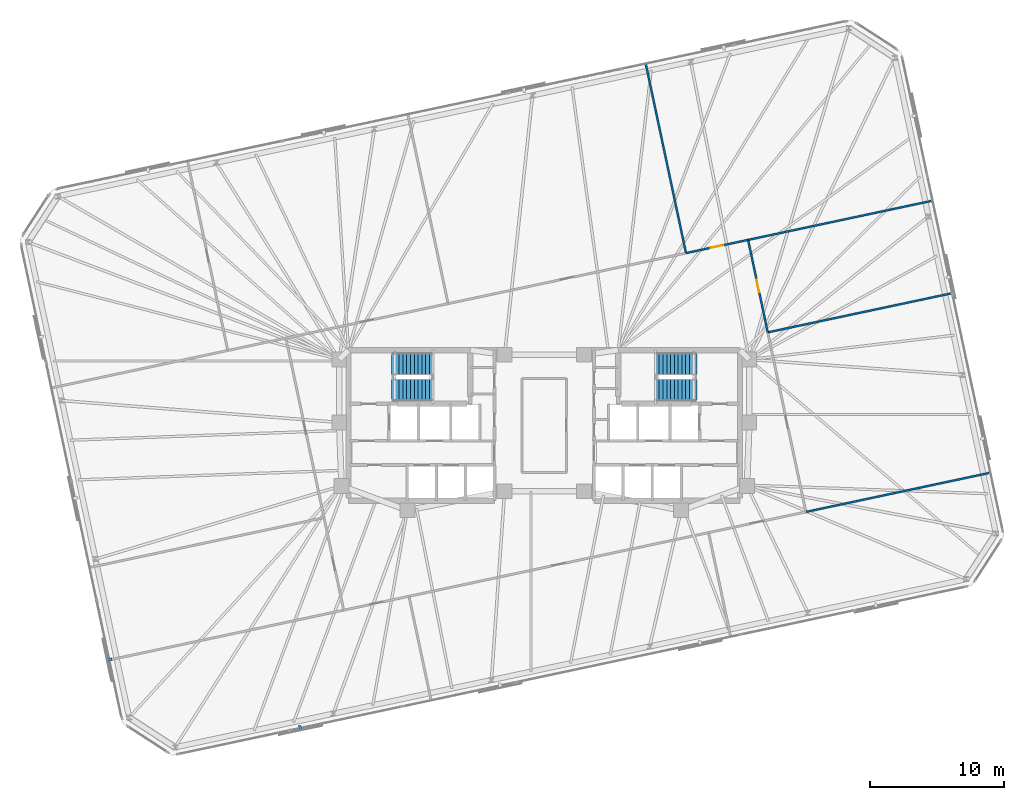
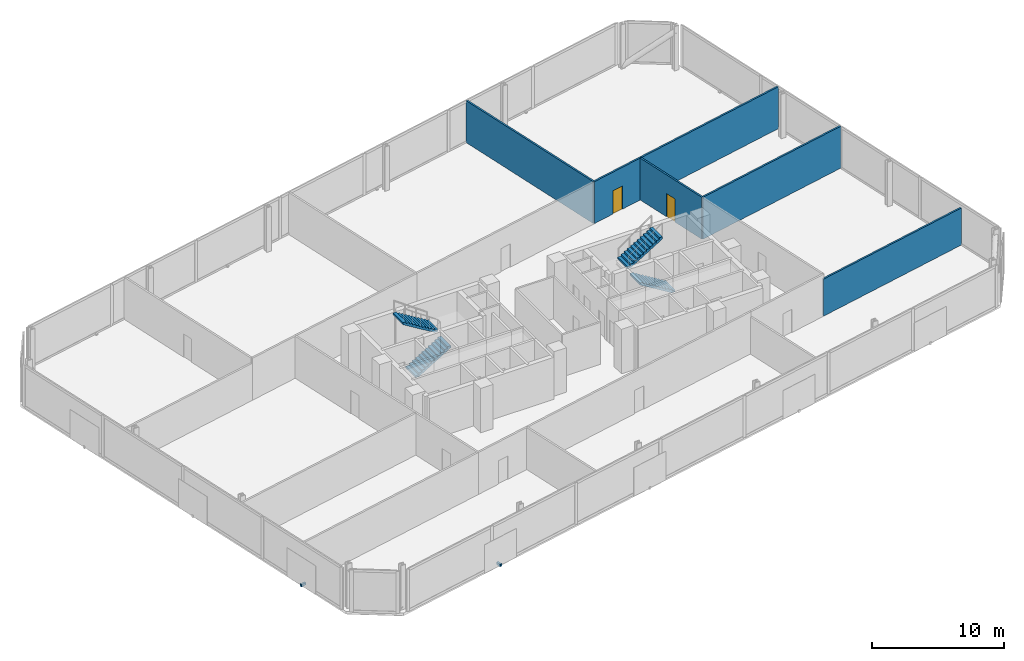
# One storey, part 13 of 15: 6 walls, 4 stair flights, 2 discrete accessories, 2 doors, 2 openings, 2 elements without a shape of their own.
"""IFC4 building model written with IfcOpenShell, lengths in metres."""

from ifc_helpers import new_model, si_unit, direction, frame, frame_2d, origin, origin_2d, place, context, subcontext, project, spatial, polyline, rectangle, outline, extrude, material, layer, layer_set, type_object, element, fill, aggregate, save


model = new_model("IFC4")

# Units and contexts
model_context = context("Model", 3, precision=1e-05, world=origin(), true_north=direction((0.0, 1.0)))
body_context = subcontext(model_context, "Body", "Model", "MODEL_VIEW")
ifc_project = project(units=[si_unit("LENGTHUNIT", "METRE"), si_unit("AREAUNIT", "SQUARE_METRE"), si_unit("VOLUMEUNIT", "CUBIC_METRE"), si_unit("PLANEANGLEUNIT", "RADIAN"), si_unit("MASSUNIT", "GRAM", prefix="KILO")], contexts=[model_context])

# Site, building, storey
site_placement = place(None, origin())
site = spatial("IfcSite", under=ifc_project, at=site_placement, CompositionType="ELEMENT")
building_placement = place(site_placement, origin())
building = spatial("IfcBuilding", under=site, at=building_placement, Name="Menara Jurai Vektor", CompositionType="ELEMENT")
storey_placement = place(building_placement, frame((0.0, 0.0, 147.300048828125)))
storey = spatial("IfcBuildingStorey", under=building, at=storey_placement, Name="L37", CompositionType="ELEMENT", Elevation=147.300048828125)

# Wall, opening, door
ifc_material_1 = material(Name="Gypsum Fireboard Partition", Category="gypsum")
ifc_layer_1 = layer(ifc_material_1, 0.14990234375)
ifc_layer_set_1 = layer_set([ifc_layer_1], Name="Gypsum Fireboard Partition")
wall_type_1 = type_object("IfcWallType", Name="INT-WALL-CORR-150", PredefinedType="PARTITIONING", material=ifc_layer_set_1)
wall_1_placement = place(storey_placement, frame((10.540771484375, 12.814453125, 0.0), z_axis=(0.0, 0.0, 1.0), x_axis=(0.978147550902, 0.207911925258, 0.0)))
wall_1 = element("IfcWall", 1, at=wall_1_placement, inside=storey, type_object=wall_type_1, Name="Interior Wall IW-150 L37", PredefinedType="PARTITIONING", context=body_context, shape_type="SweptSolid", body=[
    extrude(rectangle(XDim=4.722900390625, YDim=0.14990234375, at=frame_2d((2.361328125, 0.0))), origin(), (0.0, 0.0, 1.0), 3.875),
])
opening_1_placement = place(wall_1_placement, frame((1.886474609375, 0.0, 0.0)))
opening_1 = element("IfcOpeningElement", 2, at=opening_1_placement, cuts=wall_1, Name="Opening D37-11", PredefinedType="OPENING", context=body_context, shape_type="SweptSolid", body=[
    extrude(rectangle(XDim=0.949951171875, YDim=2.14990234375, at=frame_2d((0.47509765625, 1.074951171875))), frame((0.0, 0.0849609375, 0.0), z_axis=(0.0, -1.0, 0.0), x_axis=(1.0, 0.0, 0.0)), (0.0, 0.0, 1.0), 0.169921875),
])
ifc_material_2 = material(Name="Solid Core Timber Fire Door", Category="wood")
door_type = type_object("IfcDoorType", Name="DR-ENTRY-950", OperationType="NOTDEFINED", PredefinedType="DOOR", material=ifc_material_2)
door_1_placement = place(opening_1_placement, origin())
door_1 = element("IfcDoor", 3, at=door_1_placement, inside=storey, type_object=door_type, Name="Interior Door D37-11", OperationType="SINGLE_SWING_RIGHT", OverallHeight=2.14990234375, OverallWidth=0.949951171875, PredefinedType="DOOR", context=body_context, shape_type="SweptSolid", body=[
    extrude(rectangle(XDim=0.949951171875, YDim=2.14990234375, at=frame_2d((0.47509765625, 1.074951171875))), frame((0.0, 0.02490234375, 0.0), z_axis=(0.0, -1.0, 0.0), x_axis=(1.0, 0.0, 0.0)), (0.0, 0.0, 1.0), 0.050048828125),
])
fill(opening_1, door_1)

wall_2_placement = place(storey_placement, frame((16.622802734375, 6.9169921875, 0.0), z_axis=(0.0, 0.0, 1.0), x_axis=(-0.207930994041, 0.978143497508, 0.0)))
wall_2 = element("IfcWall", 4, at=wall_2_placement, inside=storey, type_object=wall_type_1, Name="Interior Wall IW-150 L37", PredefinedType="PARTITIONING", context=body_context, shape_type="SweptSolid", body=[
    extrude(rectangle(XDim=7.033203125, YDim=0.14990234375, at=frame_2d((3.5166015625, 0.0))), origin(), (0.0, 0.0, 1.0), 3.875),
])
opening_2_placement = place(wall_2_placement, frame((3.04150390625, 0.0, 0.0)))
opening_2 = element("IfcOpeningElement", 5, at=opening_2_placement, cuts=wall_2, Name="Opening D37-18", PredefinedType="OPENING", context=body_context, shape_type="SweptSolid", body=[
    extrude(rectangle(XDim=0.949951171875, YDim=2.14990234375, at=frame_2d((0.47509765625, 1.074951171875))), frame((0.0, 0.0849609375, 0.0), z_axis=(0.0, -1.0, 0.0), x_axis=(1.0, 0.0, 0.0)), (0.0, 0.0, 1.0), 0.169921875),
])
door_2_placement = place(opening_2_placement, origin())
door_2 = element("IfcDoor", 6, at=door_2_placement, inside=storey, type_object=door_type, Name="Interior Door D37-18", OperationType="SINGLE_SWING_LEFT", OverallHeight=2.14990234375, OverallWidth=0.949951171875, PredefinedType="DOOR", context=body_context, shape_type="SweptSolid", body=[
    extrude(rectangle(XDim=0.949951171875, YDim=2.14990234375, at=frame_2d((0.47509765625, 1.074951171875))), frame((0.0, 0.02490234375, 0.0), z_axis=(0.0, -1.0, 0.0), x_axis=(1.0, 0.0, 0.0)), (0.0, 0.0, 1.0), 0.050048828125),
])
fill(opening_2, door_2)

# Walls
wall_3_placement = place(storey_placement, frame((10.540771484375, 12.814453125, 0.0), z_axis=(0.0, 0.0, 1.0), x_axis=(-0.207915348705, 0.978146823219, 0.0)))
element("IfcWall", 7, at=wall_3_placement, inside=storey, type_object=wall_type_1, Name="Interior Wall IW-150 L37", PredefinedType="PARTITIONING", context=body_context, shape_type="SweptSolid", body=[
    extrude(rectangle(XDim=14.394775390625, YDim=0.14990234375, at=frame_2d((7.197265625, 0.0))), origin(), (0.0, 0.0, 1.0), 3.875),
])
for number, where, z_axis, x_axis, name in (
    (8, (15.160400390625, 13.79638671875, 0.0), (0.0, 0.0, 1.0), (0.978147489214, 0.207912215474, 0.0), "Interior Wall IW-150 L37"),
    (9, (16.622802734375, 6.9169921875, 0.0), (0.0, 0.0, 1.0), (0.978147489214, 0.207912215474, 0.0), "Interior Wall IW-150 L37"),
):
    element("IfcWall", number, at=place(storey_placement, frame(where, z_axis=z_axis, x_axis=x_axis)), inside=storey, type_object=wall_type_1, Name=name, PredefinedType="PARTITIONING", context=body_context, shape_type="SweptSolid", body=[
        extrude(rectangle(XDim=14.036865234375, YDim=0.14990234375, at=frame_2d((7.0185546875, 0.0))), origin(), (0.0, 0.0, 1.0), 3.875),
    ])
ifc_layer_2 = layer(ifc_material_1, 0.14990234375)
ifc_layer_set_2 = layer_set([ifc_layer_2], Name="Gypsum Fireboard Partition")
wall_type_2 = type_object("IfcWallType", Name="INT-WALL-CORR-150-H1", PredefinedType="PARTITIONING", material=ifc_layer_set_2)
wall_4_placement = place(storey_placement, frame((19.461181640625, -6.436767578125, 0.0), z_axis=(0.0, 0.0, 1.0), x_axis=(0.978147489214, 0.207912215474, 0.0)))
element("IfcWall", 10, at=wall_4_placement, inside=storey, type_object=wall_type_2, Name="Interior Wall IW-150 L37", PredefinedType="PARTITIONING", context=body_context, shape_type="SweptSolid", body=[
    extrude(rectangle(XDim=14.036865234375, YDim=0.14990234375, at=frame_2d((7.0185546875, 0.0))), origin(), (0.0, 0.0, 1.0), 3.425048828125),
])

# Stair, stair flights
ifc_material_3 = material(Name="Concrete C40/50", Category="concrete")
stair_type = type_object("IfcStairType", Name="STAIR-DOGLEG-1500", PredefinedType="HALF_TURN_STAIR", material=ifc_material_3)
stair_1_placement = place(storey_placement, origin())
stair_1 = element("IfcStair", 11, at=stair_1_placement, inside=storey, type_object=stair_type, Name="Protected Exit Stair ST1 L37", PredefinedType="HALF_TURN_STAIR")
stair_flight_type = type_object("IfcStairFlightType", Name="STAIR-FLIGHT-1500", PredefinedType="STRAIGHT", material=ifc_material_3)
stair_flight_1_placement = place(storey_placement, frame((-11.35009765625, 2.64990234375, 0.0), z_axis=(0.0, 0.0, 1.0), x_axis=(1.0, 0.0, 0.0)))
stair_flight_1 = element("IfcStairFlight", 12, at=stair_flight_1_placement, type_object=stair_flight_type, Name="ST1 flight 1", NumberOfRisers=12, NumberOfTreads=11, PredefinedType="STRAIGHT", RiserHeight=0.170833, TreadLength=0.28, context=body_context, shape_type="SweptSolid", body=[
    extrude(outline(polyline([(0.0, 0.0), (0.0, 0.1708984375), (0.280029296875, 0.1708984375), (0.280029296875, 0.341552734375), (0.56005859375, 0.341552734375), (0.56005859375, 0.512451171875), (0.840087890625, 0.512451171875), (0.840087890625, 0.683349609375), (1.1201171875, 0.683349609375), (1.1201171875, 0.854248046875), (1.39990234375, 0.854248046875), (1.39990234375, 1.02490234375), (1.679931640625, 1.02490234375), (1.679931640625, 1.19580078125), (1.9599609375, 1.19580078125), (1.9599609375, 1.36669921875), (2.239990234375, 1.36669921875), (2.239990234375, 1.53759765625), (2.52001953125, 1.53759765625), (2.52001953125, 1.708251953125), (2.800048828125, 1.708251953125), (2.800048828125, 1.879150390625), (3.080078125, 1.879150390625), (3.080078125, 2.050048828125), (3.080078125, 1.69189453125), (0.30712890625, 0.0), (0.0, 0.0)])), frame((0.0, 0.75, 0.0), z_axis=(0.0, -1.0, 0.0), x_axis=(1.0, 0.0, 0.0)), (0.0, 0.0, 1.0), 1.5),
])
stair_flight_2_placement = place(storey_placement, frame((-8.27001953125, 4.550048828125, 2.050048828125), z_axis=(0.0, 0.0, 1.0), x_axis=(-1.0, 0.0, 0.0)))
stair_flight_2 = element("IfcStairFlight", 13, at=stair_flight_2_placement, type_object=stair_flight_type, Name="ST1 flight 2", NumberOfRisers=12, NumberOfTreads=11, PredefinedType="STRAIGHT", RiserHeight=0.170833, TreadLength=0.28, context=body_context, shape_type="SweptSolid", body=[
    extrude(outline(polyline([(0.0, 0.0), (0.0, 0.1708984375), (0.280029296875, 0.1708984375), (0.280029296875, 0.341552734375), (0.56005859375, 0.341552734375), (0.56005859375, 0.512451171875), (0.840087890625, 0.512451171875), (0.840087890625, 0.683349609375), (1.1201171875, 0.683349609375), (1.1201171875, 0.854248046875), (1.39990234375, 0.854248046875), (1.39990234375, 1.02490234375), (1.679931640625, 1.02490234375), (1.679931640625, 1.19580078125), (1.9599609375, 1.19580078125), (1.9599609375, 1.36669921875), (2.239990234375, 1.36669921875), (2.239990234375, 1.53759765625), (2.52001953125, 1.53759765625), (2.52001953125, 1.708251953125), (2.800048828125, 1.708251953125), (2.800048828125, 1.879150390625), (3.080078125, 1.879150390625), (3.080078125, 2.050048828125), (3.080078125, 1.69189453125), (0.30712890625, 0.0), (0.0, 0.0)])), frame((0.0, 0.75, 0.0), z_axis=(0.0, -1.0, 0.0), x_axis=(1.0, 0.0, 0.0)), (0.0, 0.0, 1.0), 1.5),
])
aggregate(stair_1, [stair_flight_1, stair_flight_2])

stair_2_placement = place(storey_placement, origin())
stair_2 = element("IfcStair", 14, at=stair_2_placement, inside=storey, type_object=stair_type, Name="Protected Exit Stair ST2 L37", PredefinedType="HALF_TURN_STAIR")
stair_flight_3_placement = place(storey_placement, frame((11.35009765625, 2.64990234375, 0.0), z_axis=(0.0, 0.0, 1.0), x_axis=(-1.0, 0.0, 0.0)))
stair_flight_3 = element("IfcStairFlight", 15, at=stair_flight_3_placement, type_object=stair_flight_type, Name="ST2 flight 1", NumberOfRisers=12, NumberOfTreads=11, PredefinedType="STRAIGHT", RiserHeight=0.170833, TreadLength=0.28, context=body_context, shape_type="SweptSolid", body=[
    extrude(outline(polyline([(0.0, 0.0), (0.0, 0.1708984375), (0.280029296875, 0.1708984375), (0.280029296875, 0.341552734375), (0.56005859375, 0.341552734375), (0.56005859375, 0.512451171875), (0.840087890625, 0.512451171875), (0.840087890625, 0.683349609375), (1.1201171875, 0.683349609375), (1.1201171875, 0.854248046875), (1.39990234375, 0.854248046875), (1.39990234375, 1.02490234375), (1.679931640625, 1.02490234375), (1.679931640625, 1.19580078125), (1.9599609375, 1.19580078125), (1.9599609375, 1.36669921875), (2.239990234375, 1.36669921875), (2.239990234375, 1.53759765625), (2.52001953125, 1.53759765625), (2.52001953125, 1.708251953125), (2.800048828125, 1.708251953125), (2.800048828125, 1.879150390625), (3.080078125, 1.879150390625), (3.080078125, 2.050048828125), (3.080078125, 1.69189453125), (0.30712890625, 0.0), (0.0, 0.0)])), frame((0.0, 0.75, 0.0), z_axis=(0.0, -1.0, 0.0), x_axis=(1.0, 0.0, 0.0)), (0.0, 0.0, 1.0), 1.5),
])
stair_flight_4_placement = place(storey_placement, frame((8.27001953125, 4.550048828125, 2.050048828125), z_axis=(0.0, 0.0, 1.0), x_axis=(1.0, 0.0, 0.0)))
stair_flight_4 = element("IfcStairFlight", 16, at=stair_flight_4_placement, type_object=stair_flight_type, Name="ST2 flight 2", NumberOfRisers=12, NumberOfTreads=11, PredefinedType="STRAIGHT", RiserHeight=0.170833, TreadLength=0.28, context=body_context, shape_type="SweptSolid", body=[
    extrude(outline(polyline([(0.0, 0.0), (0.0, 0.1708984375), (0.280029296875, 0.1708984375), (0.280029296875, 0.341552734375), (0.56005859375, 0.341552734375), (0.56005859375, 0.512451171875), (0.840087890625, 0.512451171875), (0.840087890625, 0.683349609375), (1.1201171875, 0.683349609375), (1.1201171875, 0.854248046875), (1.39990234375, 0.854248046875), (1.39990234375, 1.02490234375), (1.679931640625, 1.02490234375), (1.679931640625, 1.19580078125), (1.9599609375, 1.19580078125), (1.9599609375, 1.36669921875), (2.239990234375, 1.36669921875), (2.239990234375, 1.53759765625), (2.52001953125, 1.53759765625), (2.52001953125, 1.708251953125), (2.800048828125, 1.708251953125), (2.800048828125, 1.879150390625), (3.080078125, 1.879150390625), (3.080078125, 2.050048828125), (3.080078125, 1.69189453125), (0.30712890625, 0.0), (0.0, 0.0)])), frame((0.0, 0.75, 0.0), z_axis=(0.0, -1.0, 0.0), x_axis=(1.0, 0.0, 0.0)), (0.0, 0.0, 1.0), 1.5),
])
aggregate(stair_2, [stair_flight_3, stair_flight_4])

# Discrete accessories
ifc_material_4 = material(Name="Steel S355", Category="steel")
discrete_accessory_type = type_object("IfcDiscreteAccessoryType", Name="ENV-ACC-BRACKET", PredefinedType="BRACKET", material=ifc_material_4)
for number, where, z_axis, x_axis, name in (
    (17, (-18.148193359375, -22.537841796875, -0.1298828125), (0.0, 0.0, 1.0), (0.978147600734, 0.207911690818, 0.0), "Solar Screen Stand-Off Bracket L37-S01"),
    (18, (-32.359619140625, -17.425537109375, -0.1298828125), (0.0, 0.0, 1.0), (0.207911690818, -0.978147600734, 0.0), "Solar Screen Stand-Off Bracket L37-S14"),
):
    element("IfcDiscreteAccessory", number, at=place(storey_placement, frame(where, z_axis=z_axis, x_axis=x_axis)), inside=storey, type_object=discrete_accessory_type, Name=name, PredefinedType="BRACKET", context=body_context, shape_type="SweptSolid", body=[
        extrude(rectangle(XDim=0.179931640625, YDim=0.43994140625, at=origin_2d()), origin(), (0.0, 0.0, 1.0), 0.219970703125),
    ])

save(model, "model.ifc")
